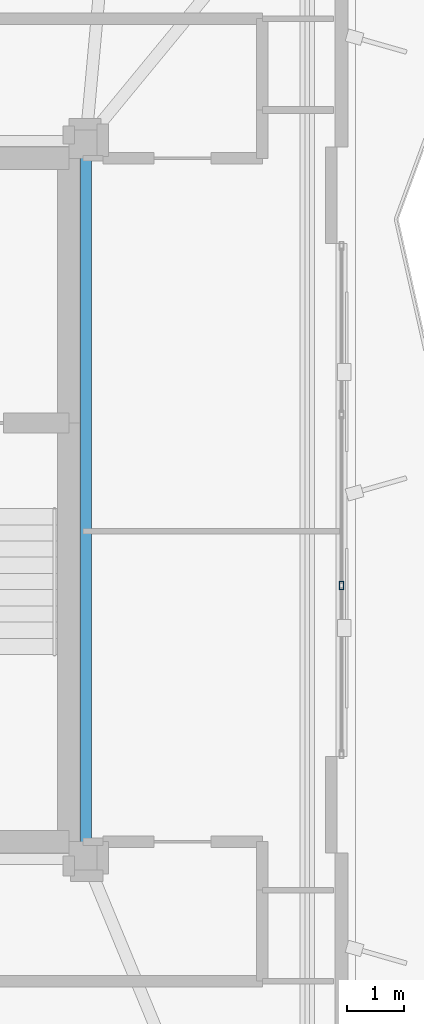
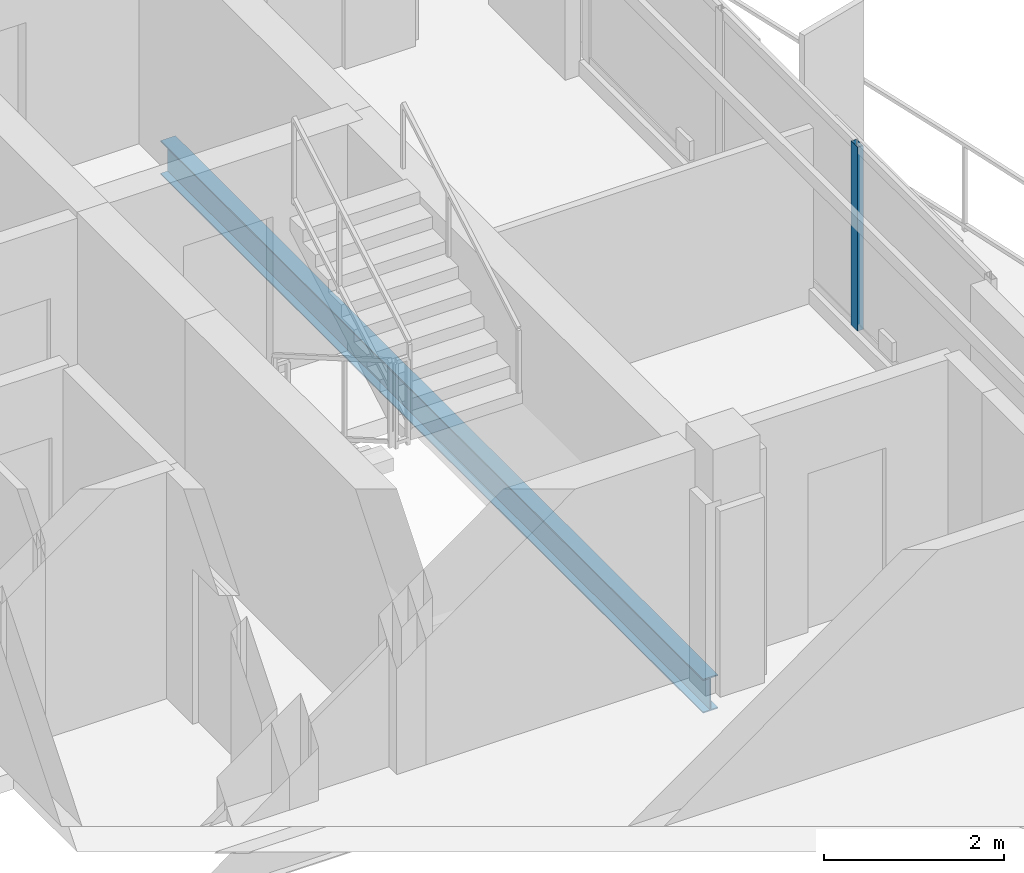
# One storey, part 11 of 22: 1 beam, 1 member, 1 element without a shape of its own.
"""IFC4 building model written with IfcOpenShell, lengths in metres."""

from ifc_helpers import new_model, si_unit, direction, frame, origin, origin_2d, place, context, subcontext, project, spatial, hollow_rectangle, i_section, extrude, material, layer, layer_set, material_profile, profile_set, type_object, element, aggregate, save


model = new_model("IFC4")

# Units and contexts
model_context = context("Model", 3, precision=1e-05, world=origin(), true_north=direction((0.0, 1.0)))
body_context = subcontext(model_context, "Body", "Model", "MODEL_VIEW")
ifc_project = project(units=[si_unit("LENGTHUNIT", "METRE"), si_unit("AREAUNIT", "SQUARE_METRE"), si_unit("VOLUMEUNIT", "CUBIC_METRE"), si_unit("PLANEANGLEUNIT", "RADIAN"), si_unit("MASSUNIT", "GRAM", prefix="KILO")], contexts=[model_context])

# Site, building, storey
site_placement = place(None, origin())
site = spatial("IfcSite", under=ifc_project, at=site_placement, CompositionType="ELEMENT")
building_placement = place(site_placement, origin())
building = spatial("IfcBuilding", under=site, at=building_placement, Name="Mersakhor Tower and Convention Hall", CompositionType="ELEMENT")
storey_placement = place(building_placement, frame((0.0, 0.0, 195.300048828125)))
storey = spatial("IfcBuildingStorey", under=building, at=storey_placement, Name="L54", CompositionType="ELEMENT", Elevation=195.300048828125)

# Beam
ifc_material_1 = material(Name="Steel S355", Category="steel")
ifc_material_profile_1 = material_profile(ifc_material_1, i_section(OverallWidth=0.19140625, OverallDepth=0.4599609375, WebThickness=0.010009765625, FlangeThickness=0.01611328125, at=origin_2d()), Name="UB 457x191x82")
ifc_profile_set_1 = profile_set([ifc_material_profile_1], Name="Steel S355")
beam_type = type_object("IfcBeamType", Name="BM-FB-457", PredefinedType="BEAM", material=ifc_profile_set_1)
beam_placement = place(storey_placement, frame((36.10009765625, 32.77001953125, -0.4599609375), z_axis=(0.0, -1.0, 0.0), x_axis=(1.0, 0.0, 0.0)))
element("IfcBeam", 1, at=beam_placement, inside=storey, type_object=beam_type, Name="L54 Core Ring Tie Beam CRB-3", PredefinedType="BEAM", context=body_context, shape_type="SweptSolid", body=[
    extrude(i_section(OverallWidth=0.19140625, OverallDepth=0.4599609375, WebThickness=0.010009765625, FlangeThickness=0.01611328125, at=origin_2d()), origin(), (0.0, 0.0, 1.0), 12.0400390625),
])

# Curtain wall, member
ifc_material_2 = material(Name="Dark solar low-E aluminium curtain wall", Category="aluminium")
ifc_layer = layer(ifc_material_2, 0.169921875)
ifc_layer_set = layer_set([ifc_layer], Name="Dark solar low-E aluminium curtain wall")
curtain_wall_type = type_object("IfcCurtainWallType", Name="CW-SYS-02", PredefinedType="USERDEFINED", material=ifc_layer_set)
curtain_wall_placement = place(storey_placement, origin())
curtain_wall = element("IfcCurtainWall", 2, at=curtain_wall_placement, inside=storey, type_object=curtain_wall_type, Name="L54 Dark-Glass Curtain Wall F2-B2", ObjectType="CURTAIN WALL", PredefinedType="USERDEFINED")
ifc_material_3 = material(Name="Anodised aluminium EN AW-6063 T6", Category="aluminium")
ifc_material_profile_2 = material_profile(ifc_material_3, hollow_rectangle(XDim=0.074951171875, YDim=0.14990234375, WallThickness=0.00634765625, at=origin_2d()), Name="RHS 150x75x6.3")
ifc_profile_set_2 = profile_set([ifc_material_profile_2], Name="Anodised aluminium EN AW-6063 T6")
member_type = type_object("IfcMemberType", Name="CWM-150x75", PredefinedType="MULLION", material=ifc_profile_set_2)
member_placement = place(storey_placement, frame((40.58837890625, 25.250244140625, 0.199951171875), z_axis=(0.0, 0.0, 1.0), x_axis=(1.0, 0.0, 0.0)))
member = element("IfcMember", 3, at=member_placement, type_object=member_type, Name="CW-02 mullion 3", PredefinedType="MULLION", context=body_context, shape_type="SweptSolid", body=[
    extrude(hollow_rectangle(XDim=0.074951171875, YDim=0.14990234375, WallThickness=0.00634765625, at=origin_2d()), origin(), (0.0, 0.0, 1.0), 2.489990234375),
])
aggregate(curtain_wall, [member])

save(model, "model.ifc")
